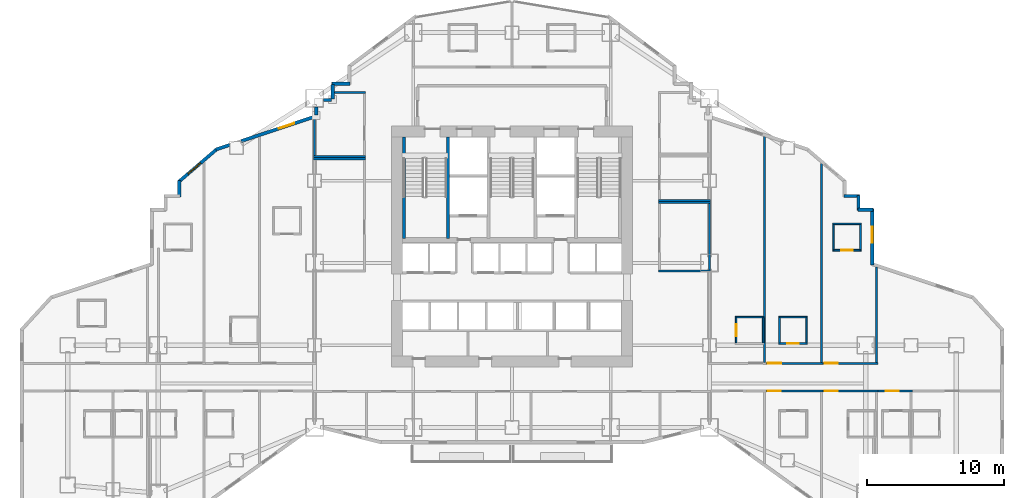
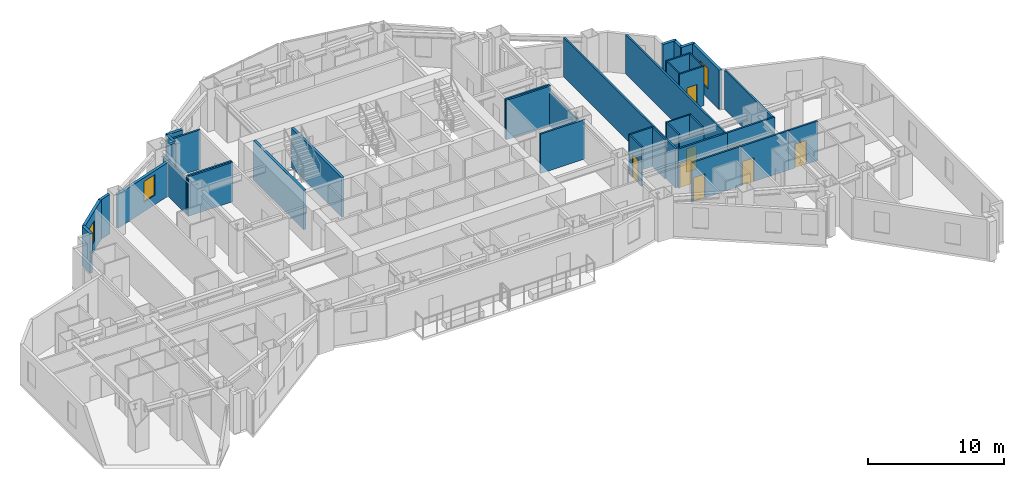
# One storey, part 11 of 19: 41 walls, 8 doors, 3 windows, 11 openings.
"""IFC4 building model written with IfcOpenShell, lengths in metres."""

import ifcopenshell
import ifcopenshell.guid

model = None  # the IFC model being written
_history = None  # IfcOwnerHistory: only IFC2X3 demands one
_inside = {}  # id of a spatial element -> (the spatial element, [elements in it])
_under = {}  # id of a project, library or spatial element -> (it, [spatial elements below it])
_declared = {}  # id of a project -> (the project, [libraries it declares])
_typed = {}  # id of a type object -> (the type object, [elements of that type])
_made_of = {}  # id of a material, layer set ... -> (it, [elements and type objects made of it])


def new_model(schema):
    """Start an empty IFC model of exactly this schema.

    Asked for "IFC4X3", IfcOpenShell would pick the latest addendum, in which some entities
    have other attributes; the version numbers below select the first issue.
    IFC2X3 requires an IfcOwnerHistory on every rooted entity: one is made here for all.
    """
    global model, _history
    if schema == "IFC4X3":
        model = ifcopenshell.file(schema_version=(4, 3, 0, 0))
    else:
        model = ifcopenshell.file(schema=schema)
    _inside.clear()
    _under.clear()
    _declared.clear()
    _typed.clear()
    _made_of.clear()
    _history = None
    if model.schema == "IFC2X3":
        org = make("IfcOrganization", Name="unknown")
        user = make(
            "IfcPersonAndOrganization",
            ThePerson=make("IfcPerson", FamilyName="unknown"),
            TheOrganization=org,
        )
        app = make(
            "IfcApplication",
            ApplicationDeveloper=org,
            Version="unknown",
            ApplicationFullName="unknown",
            ApplicationIdentifier="unknown",
        )
        _history = make(
            "IfcOwnerHistory",
            OwningUser=user,
            OwningApplication=app,
            ChangeAction="ADDED",
            CreationDate=0,
        )
    return model


def make(cls, **values):
    """One entity of the class cls with the attributes given. An attribute that is None is left unset."""
    return model.create_entity(
        cls, **{name: value for name, value in values.items() if value is not None}
    )


def rooted(cls, **values):
    """An entity with a GlobalId (a new one), such as an element, a storey or a relation."""
    return make(cls, GlobalId=ifcopenshell.guid.new(), OwnerHistory=_history, **values)


def si_unit(unit_type, name, prefix=None):
    """IfcSIUnit, for example si_unit("LENGTHUNIT", "METRE", prefix="MILLI")."""
    return make("IfcSIUnit", UnitType=unit_type, Prefix=prefix, Name=name)


def assignment(units):
    """IfcUnitAssignment: the units of a project."""
    return None if units is None else make("IfcUnitAssignment", Units=units)


def point(xyz):
    """IfcCartesianPoint."""
    return None if xyz is None else make("IfcCartesianPoint", Coordinates=xyz)


def direction(xyz):
    """IfcDirection."""
    return None if xyz is None else make("IfcDirection", DirectionRatios=xyz)


def frame(location, z_axis=None, x_axis=None):
    """IfcAxis2Placement3D, a coordinate frame: its origin and axes. An axis left out is left unset."""
    return make(
        "IfcAxis2Placement3D",
        Location=point(location),
        Axis=direction(z_axis),
        RefDirection=direction(x_axis),
    )


def frame_2d(location, x_axis=None):
    """IfcAxis2Placement2D, a coordinate frame in the plane: its origin and x axis."""
    return make(
        "IfcAxis2Placement2D", Location=point(location), RefDirection=direction(x_axis)
    )


def origin():
    """The frame at (0, 0, 0) with its axes left unset."""
    return frame((0.0, 0.0, 0.0))


def place(relative_to, where):
    """IfcLocalPlacement: puts the frame where relative to a parent placement (None: the world)."""
    return make(
        "IfcLocalPlacement", PlacementRelTo=relative_to, RelativePlacement=where
    )


def context(
    kind, dimensions, precision=None, world=None, true_north=None, identifier=None
):
    """IfcGeometricRepresentationContext, for example the 3D "Model" context."""
    return make(
        "IfcGeometricRepresentationContext",
        ContextIdentifier=identifier,
        ContextType=kind,
        CoordinateSpaceDimension=dimensions,
        Precision=precision,
        WorldCoordinateSystem=world,
        TrueNorth=true_north,
    )


def subcontext(parent, identifier, kind, view, scale=None):
    """IfcGeometricRepresentationSubContext, for example "Body" below "Model"."""
    return make(
        "IfcGeometricRepresentationSubContext",
        ContextIdentifier=identifier,
        ContextType=kind,
        ParentContext=parent,
        TargetScale=scale,
        TargetView=view,
    )


def project(units=None, contexts=None):
    """IfcProject with its units and contexts."""
    return rooted(
        "IfcProject",
        Name="project",
        RepresentationContexts=contexts,
        UnitsInContext=assignment(units),
    )


def spatial(cls, under=None, at=None, **own):
    """A site, building, storey or space (cls), placed at a placement, below another one or the project."""
    s = rooted(cls, ObjectPlacement=at, **own)
    if under is not None:
        _under.setdefault(under.id(), (under, []))[1].append(s)
    return s


def profile(cls, at=None, kind="AREA", **sizes):
    """A parametric profile (cls). Its sizes go by their IFC names, for example OverallWidth=200.0."""
    return make(cls, ProfileType=kind, Position=at, **sizes)


def rectangle(**sizes):
    """IfcRectangleProfileDef."""
    return profile("IfcRectangleProfileDef", **sizes)


def extrude(swept, where, along, depth):
    """IfcExtrudedAreaSolid: the profile swept, set in the frame where, extruded along a direction by depth."""
    return make(
        "IfcExtrudedAreaSolid",
        SweptArea=swept,
        Position=where,
        ExtrudedDirection=direction(along),
        Depth=depth,
    )


def shape(context_of_items, identifier, shape_type, items):
    """IfcShapeRepresentation: the items that make up one representation, for example the "Body"."""
    return make(
        "IfcShapeRepresentation",
        ContextOfItems=context_of_items,
        RepresentationIdentifier=identifier,
        RepresentationType=shape_type,
        Items=items,
    )


def material(Name=None, Category=None):
    """IfcMaterial."""
    return make("IfcMaterial", Name=Name, Category=Category)


def layer(
    of_material, thickness, ventilated=None, Name=None, Category=None, Priority=None
):
    """IfcMaterialLayer: one layer of a wall or slab, of a material (None: an air gap)."""
    return make(
        "IfcMaterialLayer",
        Material=of_material,
        LayerThickness=thickness,
        IsVentilated=ventilated,
        Name=Name,
        Category=Category,
        Priority=Priority,
    )


def layer_set(layers, Name=None):
    """IfcMaterialLayerSet."""
    return make("IfcMaterialLayerSet", MaterialLayers=layers, LayerSetName=Name)


def made_of(thing, what):
    """Note that an element or type object is made of a material, layer set ...; save() writes the relation."""
    if what is not None:
        _made_of.setdefault(what.id(), (what, []))[1].append(thing)
    return thing


def type_object(cls, material=None, **own):
    """A type object (cls), such as IfcWallType, which elements share."""
    return made_of(rooted(cls, **own), material)


def element(
    cls,
    number,
    at=None,
    inside=None,
    cuts=None,
    type_object=None,
    material=None,
    context=None,
    identifier="Body",
    shape_type=None,
    held_by="IfcProductDefinitionShape",
    body=None,
    shapes=None,
    **own,
):
    """One element of the class cls, such as IfcWall. Its Tag is "e" and its number.

    at: its placement. inside: the storey or other place that contains it. cuts: it is an
    opening in that element (IfcRelVoidsElement). A single representation is given by context,
    identifier, shape_type and body (its items); several are given by shapes. held_by: the class
    of the entity that holds the representations. save() writes the other relations.
    """
    e = rooted(cls, Tag="e%d" % number, ObjectPlacement=at, **own)
    if body is not None:
        shapes = [shape(context, identifier, shape_type, body)]
    if shapes is not None:
        e.Representation = make(held_by, Representations=shapes)
    if inside is not None:
        _inside.setdefault(inside.id(), (inside, []))[1].append(e)
    if cuts is not None:
        rooted(
            "IfcRelVoidsElement", RelatingBuildingElement=cuts, RelatedOpeningElement=e
        )
    if type_object is not None:
        _typed.setdefault(type_object.id(), (type_object, []))[1].append(e)
    return made_of(e, material)


def fill(opening, filler):
    """IfcRelFillsElement: the door or window that sits in an opening."""
    return rooted(
        "IfcRelFillsElement",
        RelatingOpeningElement=opening,
        RelatedBuildingElement=filler,
    )


def aggregate(whole, parts):
    """IfcRelAggregates: a whole, such as a stair, and the parts it consists of."""
    return rooted("IfcRelAggregates", RelatingObject=whole, RelatedObjects=parts)


def save(model, path):
    """Write the relations noted so far, then the file.

    IfcRelAggregates (storeys below a building ...), IfcRelContainedInSpatialStructure (elements
    in a storey), IfcRelDefinesByType, IfcRelAssociatesMaterial and IfcRelDeclares: one each for
    every whole, place, type object, material and project.
    """
    for whole, parts in _under.values():
        aggregate(whole, parts)
    for where, things in _inside.values():
        rooted(
            "IfcRelContainedInSpatialStructure",
            RelatedElements=things,
            RelatingStructure=where,
        )
    for kind, things in _typed.values():
        rooted("IfcRelDefinesByType", RelatedObjects=things, RelatingType=kind)
    for what, things in _made_of.values():
        rooted("IfcRelAssociatesMaterial", RelatedObjects=things, RelatingMaterial=what)
    for by, libraries in _declared.values():
        rooted("IfcRelDeclares", RelatingContext=by, RelatedDefinitions=libraries)
    model.write(path)


model = new_model("IFC4")

# Units and contexts
model_context = context("Model", 3, precision=1e-05, world=origin(), true_north=direction((0.0, 1.0)))
body_context = subcontext(model_context, "Body", "Model", "MODEL_VIEW")
ifc_project = project(units=[si_unit("LENGTHUNIT", "METRE"), si_unit("AREAUNIT", "SQUARE_METRE"), si_unit("VOLUMEUNIT", "CUBIC_METRE"), si_unit("PLANEANGLEUNIT", "RADIAN"), si_unit("MASSUNIT", "GRAM", prefix="KILO")], contexts=[model_context])

# Site, building, storey
site_placement = place(None, origin())
site = spatial("IfcSite", under=ifc_project, at=site_placement, CompositionType="ELEMENT")
building_placement = place(site_placement, origin())
building = spatial("IfcBuilding", under=site, at=building_placement, Name="Haolan Belvedere Tower", CompositionType="ELEMENT")
storey_placement = place(building_placement, frame((0.0, 0.0, 39.199951171875)))
storey = spatial("IfcBuildingStorey", under=building, at=storey_placement, Name="L09", CompositionType="ELEMENT", Elevation=39.199951171875)

# Wall, opening, window
ifc_material_1 = material(Name="Precast concrete C40/50", Category="concrete")
ifc_layer_1 = layer(ifc_material_1, 0.239990234375, Name="Precast concrete C40/50")
ifc_layer_set_1 = layer_set([ifc_layer_1], Name="Precast concrete C40/50")
wall_type_1 = type_object("IfcWallType", Name="WL-EXT-240", PredefinedType="SOLIDWALL", material=ifc_layer_set_1)
wall_1_placement = place(storey_placement, frame((64.679931640625, 33.458251953125, 0.0), z_axis=(0.0, 0.0, 1.0), x_axis=(0.0, 1.0, 0.0)))
wall_1 = element("IfcWall", 1, at=wall_1_placement, inside=storey, type_object=wall_type_1, Name="L09 pale-metal exterior spandrel wall 29.1", PredefinedType="SOLIDWALL", context=body_context, shape_type="SweptSolid", body=[
    extrude(rectangle(XDim=4.07666015625, YDim=0.239990234375, at=frame_2d((2.038330078125, 0.0))), origin(), (0.0, 0.0, 1.0), 3.5400390625),
])
opening_1_placement = place(wall_1_placement, frame((1.60009765625, 0.0, 0.85009765625)))
opening_1 = element("IfcOpeningElement", 2, at=opening_1_placement, cuts=wall_1, Name="Opening W-01", PredefinedType="OPENING", context=body_context, shape_type="SweptSolid", body=[
    extrude(rectangle(XDim=1.199951171875, YDim=1.85009765625, at=frame_2d((0.60009765625, 0.925048828125))), frame((0.0, 0.1298828125, 0.0), z_axis=(0.0, -1.0, 0.0), x_axis=(1.0, 0.0, 0.0)), (0.0, 0.0, 1.0), 0.260009765625),
])
ifc_material_2 = material(Name="Anodised aluminium 6063-T6 and Low-E glass", Category="aluminium")
window_type = type_object("IfcWindowType", Name="WN-DECO-Z1", PartitioningType="SINGLE_PANEL", PredefinedType="WINDOW", material=ifc_material_2)
window_1_placement = place(opening_1_placement, origin())
window_1 = element("IfcWindow", 3, at=window_1_placement, inside=storey, type_object=window_type, Name="L09 Art Deco chevron window 1", OverallHeight=1.85009765625, OverallWidth=1.199951171875, PartitioningType="SINGLE_PANEL", PredefinedType="WINDOW", context=body_context, shape_type="SweptSolid", body=[
    extrude(rectangle(XDim=1.199951171875, YDim=1.85009765625, at=frame_2d((0.60009765625, 0.925048828125))), frame((0.0, 0.030029296875, 0.0), z_axis=(0.0, -1.0, 0.0), x_axis=(1.0, 0.0, 0.0)), (0.0, 0.0, 1.0), 0.06005859375),
])
fill(opening_1, window_1)

# Walls
wall_2_placement = place(storey_placement, frame((64.735107421875, 37.47998046875, 0.0), z_axis=(0.0, 0.0, 1.0), x_axis=(-1.0, 0.0, 0.0)))
element("IfcWall", 4, at=wall_2_placement, inside=storey, type_object=wall_type_1, Name="L09 pale-metal exterior spandrel wall 30.1", PredefinedType="SOLIDWALL", context=body_context, shape_type="SweptSolid", body=[
    extrude(rectangle(XDim=1.110107421875, YDim=0.239990234375, at=frame_2d((0.55517578125, 0.0))), origin(), (0.0, 0.0, 1.0), 3.5400390625),
])
wall_3_placement = place(storey_placement, frame((63.679931640625, 37.425048828125, 0.0), z_axis=(0.0, 0.0, 1.0), x_axis=(0.0, 1.0, 0.0)))
element("IfcWall", 5, at=wall_3_placement, inside=storey, type_object=wall_type_1, Name="L09 pale-metal exterior spandrel wall 31.1", PredefinedType="SOLIDWALL", context=body_context, shape_type="SweptSolid", body=[
    extrude(rectangle(XDim=1.10986328125, YDim=0.239990234375, at=frame_2d((0.554931640625, 0.0))), origin(), (0.0, 0.0, 1.0), 3.5400390625),
])
wall_4_placement = place(storey_placement, frame((63.735107421875, 38.47998046875, 0.0), z_axis=(0.0, 0.0, 1.0), x_axis=(-1.0, 0.0, 0.0)))
element("IfcWall", 6, at=wall_4_placement, inside=storey, type_object=wall_type_1, Name="L09 pale-metal exterior spandrel wall 32.1", PredefinedType="SOLIDWALL", context=body_context, shape_type="SweptSolid", body=[
    extrude(rectangle(XDim=1.110107421875, YDim=0.239990234375, at=frame_2d((0.55517578125, 0.0))), origin(), (0.0, 0.0, 1.0), 3.5400390625),
])
wall_5_placement = place(storey_placement, frame((26.574951171875, 46.679931640625, 0.0), z_axis=(0.0, 0.0, 1.0), x_axis=(-1.0, 0.0, 0.0)))
element("IfcWall", 7, at=wall_5_placement, inside=storey, type_object=wall_type_1, Name="L09 pale-metal exterior spandrel wall 46.1", PredefinedType="SOLIDWALL", context=body_context, shape_type="SweptSolid", body=[
    extrude(rectangle(XDim=1.31005859375, YDim=0.239990234375, at=frame_2d((0.655029296875, 0.0))), origin(), (0.0, 0.0, 1.0), 3.5400390625),
])
wall_6_placement = place(storey_placement, frame((25.320068359375, 46.614990234375, 0.0), z_axis=(0.0, 0.0, 1.0), x_axis=(0.0, -1.0, 0.0)))
element("IfcWall", 8, at=wall_6_placement, inside=storey, type_object=wall_type_1, Name="L09 pale-metal exterior spandrel wall 47.1", PredefinedType="SOLIDWALL", context=body_context, shape_type="SweptSolid", body=[
    extrude(rectangle(XDim=1.050048828125, YDim=0.239990234375, at=frame_2d((0.52490234375, 0.0))), origin(), (0.0, 0.0, 1.0), 3.5400390625),
])
wall_7_placement = place(storey_placement, frame((25.235107421875, 45.47998046875, 0.0), z_axis=(0.0, 0.0, 1.0), x_axis=(-1.0, 0.0, 0.0)))
element("IfcWall", 9, at=wall_7_placement, inside=storey, type_object=wall_type_1, Name="L09 pale-metal exterior spandrel wall 48.1", PredefinedType="SOLIDWALL", context=body_context, shape_type="SweptSolid", body=[
    extrude(rectangle(XDim=0.593017578125, YDim=0.239990234375, at=frame_2d((0.29638671875, 0.0))), origin(), (0.0, 0.0, 1.0), 3.5400390625),
])
wall_8_placement = place(storey_placement, frame((24.1201171875, 44.9580078125, 0.0), z_axis=(0.0, 0.0, 1.0), x_axis=(0.0, -1.0, 0.0)))
element("IfcWall", 10, at=wall_8_placement, inside=storey, type_object=wall_type_1, Name="L09 pale-metal exterior spandrel wall 49.1", PredefinedType="SOLIDWALL", context=body_context, shape_type="SweptSolid", body=[
    extrude(rectangle(XDim=0.5595703125, YDim=0.239990234375, at=frame_2d((0.27978515625, 0.0))), origin(), (0.0, 0.0, 1.0), 3.037109375),
])

# Wall, opening, window
wall_9_placement = place(storey_placement, frame((24.039306640625, 44.28662109375, 0.0), z_axis=(0.0, 0.0, 1.0), x_axis=(-0.948678995954, -0.316240672014, 0.0)))
wall_9 = element("IfcWall", 11, at=wall_9_placement, inside=storey, type_object=wall_type_1, Name="L09 pale-metal exterior spandrel wall 50.1", PredefinedType="SOLIDWALL", context=body_context, shape_type="SweptSolid", body=[
    extrude(rectangle(XDim=5.675048828125, YDim=0.239990234375, at=frame_2d((2.83740234375, 0.0))), origin(), (0.0, 0.0, 1.0), 3.037109375),
])
opening_2_placement = place(wall_9_placement, frame((1.60009765625, 0.0, 0.85009765625)))
opening_2 = element("IfcOpeningElement", 12, at=opening_2_placement, cuts=wall_9, Name="Opening W-01", PredefinedType="OPENING", context=body_context, shape_type="SweptSolid", body=[
    extrude(rectangle(XDim=1.199951171875, YDim=1.85009765625, at=frame_2d((0.60009765625, 0.925048828125))), frame((0.0, 0.1298828125, 0.0), z_axis=(0.0, -1.0, 0.0), x_axis=(1.0, 0.0, 0.0)), (0.0, 0.0, 1.0), 0.260009765625),
])
window_2_placement = place(opening_2_placement, origin())
window_2 = element("IfcWindow", 13, at=window_2_placement, inside=storey, type_object=window_type, Name="L09 Art Deco chevron window 1", OverallHeight=1.85009765625, OverallWidth=1.199951171875, PartitioningType="SINGLE_PANEL", PredefinedType="WINDOW", context=body_context, shape_type="SweptSolid", body=[
    extrude(rectangle(XDim=1.199951171875, YDim=1.85009765625, at=frame_2d((0.60009765625, 0.925048828125))), frame((0.0, 0.030029296875, 0.0), z_axis=(0.0, -1.0, 0.0), x_axis=(1.0, 0.0, 0.0)), (0.0, 0.0, 1.0), 0.06005859375),
])
fill(opening_2, window_2)

# Wall
wall_10_placement = place(storey_placement, frame((17.80810546875, 42.20947265625, 0.0), z_axis=(0.0, 0.0, 1.0), x_axis=(-0.948706457285, -0.316158279832, 0.0)))
element("IfcWall", 14, at=wall_10_placement, inside=storey, type_object=wall_type_1, Name="L09 pale-metal exterior spandrel wall 50.2", PredefinedType="SOLIDWALL", context=body_context, shape_type="SweptSolid", body=[
    extrude(rectangle(XDim=1.053955078125, YDim=0.239990234375, at=frame_2d((0.52685546875, 0.0))), origin(), (0.0, 0.0, 1.0), 3.5400390625),
])

# Wall, opening, window
wall_11_placement = place(storey_placement, frame((16.902099609375, 41.929443359375, 0.0), z_axis=(0.0, 0.0, 1.0), x_axis=(-0.759275136126, -0.650769750112, 0.0)))
wall_11 = element("IfcWall", 15, at=wall_11_placement, inside=storey, type_object=wall_type_1, Name="L09 pale-metal exterior spandrel wall 51.1", PredefinedType="SOLIDWALL", context=body_context, shape_type="SweptSolid", body=[
    extrude(rectangle(XDim=3.71923828125, YDim=0.239990234375, at=frame_2d((1.859619140625, 0.0))), origin(), (0.0, 0.0, 1.0), 3.5400390625),
])
opening_3_placement = place(wall_11_placement, frame((1.60009765625, 0.0, 0.85009765625)))
opening_3 = element("IfcOpeningElement", 16, at=opening_3_placement, cuts=wall_11, Name="Opening W-01", PredefinedType="OPENING", context=body_context, shape_type="SweptSolid", body=[
    extrude(rectangle(XDim=1.199951171875, YDim=1.85009765625, at=frame_2d((0.60009765625, 0.925048828125))), frame((0.0, 0.1298828125, 0.0), z_axis=(0.0, -1.0, 0.0), x_axis=(1.0, 0.0, 0.0)), (0.0, 0.0, 1.0), 0.260009765625),
])
window_3_placement = place(opening_3_placement, origin())
window_3 = element("IfcWindow", 17, at=window_3_placement, inside=storey, type_object=window_type, Name="L09 Art Deco chevron window 1", OverallHeight=1.85009765625, OverallWidth=1.199951171875, PartitioningType="SINGLE_PANEL", PredefinedType="WINDOW", context=body_context, shape_type="SweptSolid", body=[
    extrude(rectangle(XDim=1.199951171875, YDim=1.85009765625, at=frame_2d((0.60009765625, 0.925048828125))), frame((0.0, 0.030029296875, 0.0), z_axis=(0.0, -1.0, 0.0), x_axis=(1.0, 0.0, 0.0)), (0.0, 0.0, 1.0), 0.06005859375),
])
fill(opening_3, window_3)

# Walls
wall_12_placement = place(storey_placement, frame((14.1201171875, 39.599853515625, 0.0), z_axis=(0.0, 0.0, 1.0), x_axis=(0.0, -1.0, 0.0)))
element("IfcWall", 18, at=wall_12_placement, inside=storey, type_object=wall_type_1, Name="L09 pale-metal exterior spandrel wall 52.1", PredefinedType="SOLIDWALL", context=body_context, shape_type="SweptSolid", body=[
    extrude(rectangle(XDim=1.1748046875, YDim=0.239990234375, at=frame_2d((0.58740234375, 0.0))), origin(), (0.0, 0.0, 1.0), 3.5400390625),
])
ifc_material_3 = material(Name="Double gypsum acoustic stud partition", Category="masonry")
ifc_layer_2 = layer(ifc_material_3, 0.14990234375, Name="Double gypsum acoustic stud partition")
ifc_layer_set_2 = layer_set([ifc_layer_2], Name="Double gypsum acoustic stud partition")
wall_type_2 = type_object("IfcWallType", Name="WL-PART-150", PredefinedType="PARTITIONING", material=ifc_layer_set_2)
wall_13_placement = place(storey_placement, frame((23.919921875, 41.199951171875, 0.0), z_axis=(0.0, 0.0, 1.0), x_axis=(1.0, 0.0, 0.0)))
element("IfcWall", 19, at=wall_13_placement, inside=storey, type_object=wall_type_2, Name="L09 interior partition IW-L09-SAL-N", PredefinedType="PARTITIONING", context=body_context, shape_type="SweptSolid", body=[
    extrude(rectangle(XDim=3.800048828125, YDim=0.14990234375, at=frame_2d((1.89990234375, 0.0))), origin(), (0.0, 0.0, 1.0), 3.5400390625),
])
wall_14_placement = place(storey_placement, frame((25.425048828125, 46.02001953125, 0.0), z_axis=(0.0, 0.0, 1.0), x_axis=(1.0, 0.0, 0.0)))
element("IfcWall", 20, at=wall_14_placement, inside=storey, type_object=wall_type_2, Name="L09 interior partition IW-L09-HSK-N", PredefinedType="PARTITIONING", context=body_context, shape_type="SweptSolid", body=[
    extrude(rectangle(XDim=2.294921875, YDim=0.14990234375, at=frame_2d((1.1474609375, 0.0))), origin(), (0.0, 0.0, 1.0), 3.5400390625),
])
wall_15_placement = place(storey_placement, frame((23.919921875, 41.360107421875, 0.0), z_axis=(0.0, 0.0, 1.0), x_axis=(1.0, 0.0, 0.0)))
element("IfcWall", 21, at=wall_15_placement, inside=storey, type_object=wall_type_2, Name="L09 interior partition IW-L09-HSK-S", PredefinedType="PARTITIONING", context=body_context, shape_type="SweptSolid", body=[
    extrude(rectangle(XDim=3.800048828125, YDim=0.14990234375, at=frame_2d((1.89990234375, 0.0))), origin(), (0.0, 0.0, 1.0), 3.5400390625),
])
wall_16_placement = place(storey_placement, frame((24.0, 41.419921875, 0.0), z_axis=(0.0, 0.0, 1.0), x_axis=(0.0, 1.0, 0.0)))
element("IfcWall", 22, at=wall_16_placement, inside=storey, type_object=wall_type_2, Name="L09 interior partition IW-L09-HSK-W", PredefinedType="PARTITIONING", context=body_context, shape_type="SweptSolid", body=[
    extrude(rectangle(XDim=2.742919921875, YDim=0.14990234375, at=frame_2d((1.37158203125, 0.0))), origin(), (0.0, 0.0, 1.0), 3.037109375),
])
for number, where, z_axis, x_axis, name in (
    (23, (49.080078125, 38.0, 0.0), (0.0, 0.0, 1.0), (1.0, 0.0, 0.0), "L09 interior partition IW-L09-BPN-N"),
    (24, (49.080078125, 33.0, 0.0), (0.0, 0.0, 1.0), (1.0, 0.0, 0.0), "L09 interior partition IW-L09-BPN-S"),
):
    element("IfcWall", number, at=place(storey_placement, frame(where, z_axis=z_axis, x_axis=x_axis)), inside=storey, type_object=wall_type_2, Name=name, PredefinedType="PARTITIONING", context=body_context, shape_type="SweptSolid", body=[
        extrude(rectangle(XDim=3.7998046875, YDim=0.14990234375, at=frame_2d((1.89990234375, 0.0))), origin(), (0.0, 0.0, 1.0), 3.5400390625),
    ])
wall_17_placement = place(storey_placement, frame((52.800048828125, 33.06005859375, 0.0), z_axis=(0.0, 0.0, 1.0), x_axis=(0.0, 1.0, 0.0)))
element("IfcWall", 25, at=wall_17_placement, inside=storey, type_object=wall_type_2, Name="L09 interior partition IW-L09-BPN-E", PredefinedType="PARTITIONING", context=body_context, shape_type="SweptSolid", body=[
    extrude(rectangle(XDim=4.8798828125, YDim=0.14990234375, at=frame_2d((2.43994140625, 0.0))), origin(), (0.0, 0.0, 1.0), 3.037109375),
])
wall_18_placement = place(storey_placement, frame((49.080078125, 38.159912109375, 0.0), z_axis=(0.0, 0.0, 1.0), x_axis=(1.0, 0.0, 0.0)))
element("IfcWall", 26, at=wall_18_placement, inside=storey, type_object=wall_type_2, Name="L09 interior partition IW-L09-AWC-S", PredefinedType="PARTITIONING", context=body_context, shape_type="SweptSolid", body=[
    extrude(rectangle(XDim=3.7998046875, YDim=0.14990234375, at=frame_2d((1.89990234375, 0.0))), origin(), (0.0, 0.0, 1.0), 3.5400390625),
])
wall_19_placement = place(storey_placement, frame((56.830078125, 26.340087890625, 0.0), z_axis=(0.0, 0.0, 1.0), x_axis=(0.0, 1.0, 0.0)))
element("IfcWall", 27, at=wall_19_placement, inside=storey, type_object=wall_type_2, Name="L09 interior partition IW-L09-T4N1-E", PredefinedType="PARTITIONING", context=body_context, shape_type="SweptSolid", body=[
    extrude(rectangle(XDim=16.4794921875, YDim=0.14990234375, at=frame_2d((8.23974609375, 0.0))), origin(), (0.0, 0.0, 1.0), 3.5400390625),
])

# Wall, opening, door
wall_20_placement = place(storey_placement, frame((56.931884765625, 26.280029296875, 0.0), z_axis=(0.0, 0.0, 1.0), x_axis=(1.0, 0.0, 0.0)))
wall_20 = element("IfcWall", 28, at=wall_20_placement, inside=storey, type_object=wall_type_2, Name="L09 interior partition IW-L09-T4N2-S", PredefinedType="PARTITIONING", context=body_context, shape_type="SweptSolid", body=[
    extrude(rectangle(XDim=4.13818359375, YDim=0.14990234375, at=frame_2d((2.069091796875, 0.0))), origin(), (0.0, 0.0, 1.0), 3.5400390625),
])
opening_4_placement = place(wall_20_placement, frame((0.139892578125, 0.0, 0.0)))
opening_4 = element("IfcOpeningElement", 29, at=opening_4_placement, cuts=wall_20, Name="Opening ID-01", PredefinedType="OPENING", context=body_context, shape_type="SweptSolid", body=[
    extrude(rectangle(XDim=0.949951171875, YDim=2.179931640625, at=frame_2d((0.47509765625, 1.08984375))), frame((0.0, 0.0849609375, 0.0), z_axis=(0.0, -1.0, 0.0), x_axis=(1.0, 0.0, 0.0)), (0.0, 0.0, 1.0), 0.169921875),
])
ifc_material_4 = material(Name="Acoustic walnut veneer fire-rated timber", Category="wood")
door_type_1 = type_object("IfcDoorType", Name="DR-SUITE-950", OperationType="NOTDEFINED", PredefinedType="DOOR", material=ifc_material_4)
door_1_placement = place(opening_4_placement, origin())
door_1 = element("IfcDoor", 30, at=door_1_placement, inside=storey, type_object=door_type_1, Name="L09 door ID-L09-T4N2-ENT", OperationType="SINGLE_SWING_LEFT", OverallHeight=2.179931640625, OverallWidth=0.949951171875, PredefinedType="DOOR", context=body_context, shape_type="SweptSolid", body=[
    extrude(rectangle(XDim=0.949951171875, YDim=2.179931640625, at=frame_2d((0.47509765625, 1.08984375))), frame((0.0, 0.02490234375, 0.0), z_axis=(0.0, -1.0, 0.0), x_axis=(1.0, 0.0, 0.0)), (0.0, 0.0, 1.0), 0.050048828125),
])
fill(opening_4, door_1)

# Wall
wall_21_placement = place(storey_placement, frame((60.969970703125, 26.340087890625, 0.0), z_axis=(0.0, 0.0, 1.0), x_axis=(0.0, 1.0, 0.0)))
element("IfcWall", 31, at=wall_21_placement, inside=storey, type_object=wall_type_2, Name="L09 interior partition IW-L09-T4N2-E", PredefinedType="PARTITIONING", context=body_context, shape_type="SweptSolid", body=[
    extrude(rectangle(XDim=14.5322265625, YDim=0.14990234375, at=frame_2d((7.26611328125, 0.0))), origin(), (0.0, 0.0, 1.0), 3.5400390625),
])

# Wall, opening, door
wall_22_placement = place(storey_placement, frame((61.072021484375, 26.280029296875, 0.0), z_axis=(0.0, 0.0, 1.0), x_axis=(1.0, 0.0, 0.0)))
wall_22 = element("IfcWall", 32, at=wall_22_placement, inside=storey, type_object=wall_type_2, Name="L09 interior partition IW-L09-T4N3-S", PredefinedType="PARTITIONING", context=body_context, shape_type="SweptSolid", body=[
    extrude(rectangle(XDim=4.028076171875, YDim=0.14990234375, at=frame_2d((2.01416015625, 0.0))), origin(), (0.0, 0.0, 1.0), 3.5400390625),
])
opening_5_placement = place(wall_22_placement, frame((0.139892578125, 0.0, 0.0)))
opening_5 = element("IfcOpeningElement", 33, at=opening_5_placement, cuts=wall_22, Name="Opening ID-02", PredefinedType="OPENING", context=body_context, shape_type="SweptSolid", body=[
    extrude(rectangle(XDim=0.949951171875, YDim=2.14990234375, at=frame_2d((0.47509765625, 1.074951171875))), frame((0.0, 0.0849609375, 0.0), z_axis=(0.0, -1.0, 0.0), x_axis=(1.0, 0.0, 0.0)), (0.0, 0.0, 1.0), 0.169921875),
])
ifc_material_5 = material(Name="Acoustic oak veneer fire-rated timber", Category="wood")
door_type_2 = type_object("IfcDoorType", Name="DR-GUEST-950", OperationType="NOTDEFINED", PredefinedType="DOOR", material=ifc_material_5)
door_2_placement = place(opening_5_placement, origin())
door_2 = element("IfcDoor", 34, at=door_2_placement, inside=storey, type_object=door_type_2, Name="L09 door ID-L09-T4N3-ENT", OperationType="SINGLE_SWING_RIGHT", OverallHeight=2.14990234375, OverallWidth=0.949951171875, PredefinedType="DOOR", context=body_context, shape_type="SweptSolid", body=[
    extrude(rectangle(XDim=0.949951171875, YDim=2.14990234375, at=frame_2d((0.47509765625, 1.074951171875))), frame((0.0, 0.02490234375, 0.0), z_axis=(0.0, -1.0, 0.0), x_axis=(1.0, 0.0, 0.0)), (0.0, 0.0, 1.0), 0.050048828125),
])
fill(opening_5, door_2)

# Wall
wall_23_placement = place(storey_placement, frame((65.0, 26.340087890625, 0.0), z_axis=(0.0, 0.0, 1.0), x_axis=(0.0, 1.0, 0.0)))
element("IfcWall", 35, at=wall_23_placement, inside=storey, type_object=wall_type_2, Name="L09 interior partition IW-L09-T4N3-E", PredefinedType="PARTITIONING", context=body_context, shape_type="SweptSolid", body=[
    extrude(rectangle(XDim=6.95703125, YDim=0.14990234375, at=frame_2d((3.478515625, 0.0))), origin(), (0.0, 0.0, 1.0), 3.5400390625),
])

# Wall, opening, door
wall_24_placement = place(storey_placement, frame((56.912109375, 24.27001953125, 0.0), z_axis=(0.0, 0.0, 1.0), x_axis=(1.0, 0.0, 0.0)))
wall_24 = element("IfcWall", 36, at=wall_24_placement, inside=storey, type_object=wall_type_2, Name="L09 interior partition IW-L09-T4S2-N", PredefinedType="PARTITIONING", context=body_context, shape_type="SweptSolid", body=[
    extrude(rectangle(XDim=4.157958984375, YDim=0.14990234375, at=frame_2d((2.0791015625, 0.0))), origin(), (0.0, 0.0, 1.0), 3.5400390625),
])
opening_6_placement = place(wall_24_placement, frame((1.08984375, 0.0, 0.0), z_axis=(0.0, 0.0, 1.0), x_axis=(-1.0, 0.0, 0.0)))
opening_6 = element("IfcOpeningElement", 37, at=opening_6_placement, cuts=wall_24, Name="Opening ID-02", PredefinedType="OPENING", context=body_context, shape_type="SweptSolid", body=[
    extrude(rectangle(XDim=0.949951171875, YDim=2.14990234375, at=frame_2d((0.47509765625, 1.074951171875))), frame((0.0, 0.0849609375, 0.0), z_axis=(0.0, -1.0, 0.0), x_axis=(1.0, 0.0, 0.0)), (0.0, 0.0, 1.0), 0.169921875),
])
door_3_placement = place(opening_6_placement, origin())
door_3 = element("IfcDoor", 38, at=door_3_placement, inside=storey, type_object=door_type_2, Name="L09 door ID-L09-T4S2-ENT", OperationType="SINGLE_SWING_RIGHT", OverallHeight=2.14990234375, OverallWidth=0.949951171875, PredefinedType="DOOR", context=body_context, shape_type="SweptSolid", body=[
    extrude(rectangle(XDim=0.949951171875, YDim=2.14990234375, at=frame_2d((0.47509765625, 1.074951171875))), frame((0.0, 0.02490234375, 0.0), z_axis=(0.0, -1.0, 0.0), x_axis=(1.0, 0.0, 0.0)), (0.0, 0.0, 1.0), 0.050048828125),
])
fill(opening_6, door_3)

wall_25_placement = place(storey_placement, frame((61.072021484375, 24.27001953125, 0.0), z_axis=(0.0, 0.0, 1.0), x_axis=(1.0, 0.0, 0.0)))
wall_25 = element("IfcWall", 39, at=wall_25_placement, inside=storey, type_object=wall_type_2, Name="L09 interior partition IW-L09-T4S3-N", PredefinedType="PARTITIONING", context=body_context, shape_type="SweptSolid", body=[
    extrude(rectangle(XDim=4.028076171875, YDim=0.14990234375, at=frame_2d((2.01416015625, 0.0))), origin(), (0.0, 0.0, 1.0), 3.5400390625),
])
opening_7_placement = place(wall_25_placement, frame((1.08984375, 0.0, 0.0), z_axis=(0.0, 0.0, 1.0), x_axis=(-1.0, 0.0, 0.0)))
opening_7 = element("IfcOpeningElement", 40, at=opening_7_placement, cuts=wall_25, Name="Opening ID-02", PredefinedType="OPENING", context=body_context, shape_type="SweptSolid", body=[
    extrude(rectangle(XDim=0.949951171875, YDim=2.14990234375, at=frame_2d((0.47509765625, 1.074951171875))), frame((0.0, 0.0849609375, 0.0), z_axis=(0.0, -1.0, 0.0), x_axis=(1.0, 0.0, 0.0)), (0.0, 0.0, 1.0), 0.169921875),
])
door_4_placement = place(opening_7_placement, origin())
door_4 = element("IfcDoor", 41, at=door_4_placement, inside=storey, type_object=door_type_2, Name="L09 door ID-L09-T4S3-ENT", OperationType="SINGLE_SWING_LEFT", OverallHeight=2.14990234375, OverallWidth=0.949951171875, PredefinedType="DOOR", context=body_context, shape_type="SweptSolid", body=[
    extrude(rectangle(XDim=0.949951171875, YDim=2.14990234375, at=frame_2d((0.47509765625, 1.074951171875))), frame((0.0, 0.02490234375, 0.0), z_axis=(0.0, -1.0, 0.0), x_axis=(1.0, 0.0, 0.0)), (0.0, 0.0, 1.0), 0.050048828125),
])
fill(opening_7, door_4)

wall_26_placement = place(storey_placement, frame((65.10205078125, 24.27001953125, 0.0), z_axis=(0.0, 0.0, 1.0), x_axis=(1.0, 0.0, 0.0)))
wall_26 = element("IfcWall", 42, at=wall_26_placement, inside=storey, type_object=wall_type_2, Name="L09 interior partition IW-L09-T5S1-N", PredefinedType="PARTITIONING", context=body_context, shape_type="SweptSolid", body=[
    extrude(rectangle(XDim=2.498046875, YDim=0.14990234375, at=frame_2d((1.2490234375, 0.0))), origin(), (0.0, 0.0, 1.0), 3.5400390625),
])
opening_8_placement = place(wall_26_placement, frame((1.512939453125, 0.0, 0.0), z_axis=(0.0, 0.0, 1.0), x_axis=(-1.0, 0.0, 0.0)))
opening_8 = element("IfcOpeningElement", 43, at=opening_8_placement, cuts=wall_26, Name="Opening ID-02", PredefinedType="OPENING", context=body_context, shape_type="SweptSolid", body=[
    extrude(rectangle(XDim=0.949951171875, YDim=2.14990234375, at=frame_2d((0.47509765625, 1.074951171875))), frame((0.0, 0.0849609375, 0.0), z_axis=(0.0, -1.0, 0.0), x_axis=(1.0, 0.0, 0.0)), (0.0, 0.0, 1.0), 0.169921875),
])
door_5_placement = place(opening_8_placement, origin())
door_5 = element("IfcDoor", 44, at=door_5_placement, inside=storey, type_object=door_type_2, Name="L09 door ID-L09-T5S1-ENT", OperationType="SINGLE_SWING_LEFT", OverallHeight=2.14990234375, OverallWidth=0.949951171875, PredefinedType="DOOR", context=body_context, shape_type="SweptSolid", body=[
    extrude(rectangle(XDim=0.949951171875, YDim=2.14990234375, at=frame_2d((0.47509765625, 1.074951171875))), frame((0.0, 0.02490234375, 0.0), z_axis=(0.0, -1.0, 0.0), x_axis=(1.0, 0.0, 0.0)), (0.0, 0.0, 1.0), 0.050048828125),
])
fill(opening_8, door_5)

# Walls
ifc_material_6 = material(Name="Concrete C50/60", Category="concrete")
ifc_layer_3 = layer(ifc_material_6, 0.219970703125, Name="Concrete C50/60")
ifc_layer_set_3 = layer_set([ifc_layer_3], Name="Concrete C50/60")
wall_type_3 = type_object("IfcWallType", Name="WL-STAIR-220", PredefinedType="SHEAR", material=ifc_layer_set_3)
for number, where, z_axis, x_axis, name in (
    (45, (30.511962890625, 35.389892578125, 0.0), (0.0, 0.0, 1.0), (0.0, 1.0, 0.0), "L09 structural stair core wall ST1W"),
    (46, (33.739990234375, 35.389892578125, 0.0), (0.0, 0.0, 1.0), (0.0, 1.0, 0.0), "L09 structural stair core wall ST1E"),
):
    element("IfcWall", number, at=place(storey_placement, frame(where, z_axis=z_axis, x_axis=x_axis)), inside=storey, type_object=wall_type_3, Name=name, PredefinedType="SHEAR", context=body_context, shape_type="SweptSolid", body=[
        extrude(rectangle(XDim=7.41015625, YDim=0.219970703125, at=frame_2d((3.705078125, 0.0))), origin(), (0.0, 0.0, 1.0), 3.5400390625),
    ])
ifc_material_7 = material(Name="Moisture-resistant gypsum tile partition", Category="masonry")
ifc_layer_4 = layer(ifc_material_7, 0.1201171875, Name="Moisture-resistant gypsum tile partition")
ifc_layer_set_4 = layer_set([ifc_layer_4], Name="Moisture-resistant gypsum tile partition")
wall_type_4 = type_object("IfcWallType", Name="WL-WET-120", PredefinedType="PARTITIONING", material=ifc_layer_set_4)
wall_27_placement = place(storey_placement, frame((54.68994140625, 29.64990234375, 0.0), z_axis=(0.0, 0.0, 1.0), x_axis=(1.0, 0.0, 0.0)))
element("IfcWall", 47, at=wall_27_placement, inside=storey, type_object=wall_type_4, Name="L09 interior partition IW-L09-T4N1-BN", PredefinedType="PARTITIONING", context=body_context, shape_type="SweptSolid", body=[
    extrude(rectangle(XDim=2.080078125, YDim=0.1201171875, at=frame_2d((1.0400390625, 0.0))), origin(), (0.0, 0.0, 1.0), 3.5400390625),
])

# Wall, opening, door
wall_28_placement = place(storey_placement, frame((54.75, 27.77490234375, 0.0), z_axis=(0.0, 0.0, 1.0), x_axis=(0.0, 1.0, 0.0)))
wall_28 = element("IfcWall", 48, at=wall_28_placement, inside=storey, type_object=wall_type_4, Name="L09 interior partition IW-L09-T4N1-BW", PredefinedType="PARTITIONING", context=body_context, shape_type="SweptSolid", body=[
    extrude(rectangle(XDim=1.830078125, YDim=0.1201171875, at=frame_2d((0.9150390625, 0.0))), origin(), (0.0, 0.0, 1.0), 3.5400390625),
])
opening_9_placement = place(wall_28_placement, frame((1.340087890625, 0.0, 0.0), z_axis=(0.0, 0.0, 1.0), x_axis=(-1.0, 0.0, 0.0)))
opening_9 = element("IfcOpeningElement", 49, at=opening_9_placement, cuts=wall_28, Name="Opening ID-05", PredefinedType="OPENING", context=body_context, shape_type="SweptSolid", body=[
    extrude(rectangle(XDim=0.85009765625, YDim=2.10009765625, at=frame_2d((0.425048828125, 1.050048828125))), frame((0.0, 0.070068359375, 0.0), z_axis=(0.0, -1.0, 0.0), x_axis=(1.0, 0.0, 0.0)), (0.0, 0.0, 1.0), 0.14013671875),
])
ifc_material_8 = material(Name="Moisture-resistant lacquered timber", Category="wood")
door_type_3 = type_object("IfcDoorType", Name="DR-BATH-850", OperationType="NOTDEFINED", PredefinedType="DOOR", material=ifc_material_8)
door_6_placement = place(opening_9_placement, origin())
door_6 = element("IfcDoor", 50, at=door_6_placement, inside=storey, type_object=door_type_3, Name="L09 door ID-L09-T4N1-BATH", OperationType="SINGLE_SWING_LEFT", OverallHeight=2.10009765625, OverallWidth=0.85009765625, PredefinedType="DOOR", context=body_context, shape_type="SweptSolid", body=[
    extrude(rectangle(XDim=0.85009765625, YDim=2.10009765625, at=frame_2d((0.425048828125, 1.050048828125))), frame((0.0, 0.02490234375, 0.0), z_axis=(0.0, -1.0, 0.0), x_axis=(1.0, 0.0, 0.0)), (0.0, 0.0, 1.0), 0.050048828125),
])
fill(opening_9, door_6)

# Walls
wall_29_placement = place(storey_placement, frame((56.72998046875, 27.77490234375, 0.0), z_axis=(0.0, 0.0, 1.0), x_axis=(0.0, 1.0, 0.0)))
element("IfcWall", 51, at=wall_29_placement, inside=storey, type_object=wall_type_4, Name="L09 interior partition IW-L09-T4N1-BE", PredefinedType="PARTITIONING", context=body_context, shape_type="SweptSolid", body=[
    extrude(rectangle(XDim=1.830078125, YDim=0.1201171875, at=frame_2d((0.9150390625, 0.0))), origin(), (0.0, 0.0, 1.0), 3.5400390625),
])
wall_30_placement = place(storey_placement, frame((57.85009765625, 29.64990234375, 0.0), z_axis=(0.0, 0.0, 1.0), x_axis=(1.0, 0.0, 0.0)))
element("IfcWall", 52, at=wall_30_placement, inside=storey, type_object=wall_type_4, Name="L09 interior partition IW-L09-T4N2-BN", PredefinedType="PARTITIONING", context=body_context, shape_type="SweptSolid", body=[
    extrude(rectangle(XDim=2.099853515625, YDim=0.1201171875, at=frame_2d((1.0498046875, 0.0))), origin(), (0.0, 0.0, 1.0), 3.5400390625),
])

# Wall, opening, door
wall_31_placement = place(storey_placement, frame((57.85009765625, 27.72998046875, 0.0), z_axis=(0.0, 0.0, 1.0), x_axis=(1.0, 0.0, 0.0)))
wall_31 = element("IfcWall", 53, at=wall_31_placement, inside=storey, type_object=wall_type_4, Name="L09 interior partition IW-L09-T4N2-BS", PredefinedType="PARTITIONING", context=body_context, shape_type="SweptSolid", body=[
    extrude(rectangle(XDim=2.099853515625, YDim=0.1201171875, at=frame_2d((1.0498046875, 0.0))), origin(), (0.0, 0.0, 1.0), 3.037109375),
])
opening_10_placement = place(wall_31_placement, frame((0.625, 0.0, 0.0)))
opening_10 = element("IfcOpeningElement", 54, at=opening_10_placement, cuts=wall_31, Name="Opening ID-05", PredefinedType="OPENING", context=body_context, shape_type="SweptSolid", body=[
    extrude(rectangle(XDim=0.85009765625, YDim=2.10009765625, at=frame_2d((0.425048828125, 1.050048828125))), frame((0.0, 0.070068359375, 0.0), z_axis=(0.0, -1.0, 0.0), x_axis=(1.0, 0.0, 0.0)), (0.0, 0.0, 1.0), 0.14013671875),
])
door_7_placement = place(opening_10_placement, origin())
door_7 = element("IfcDoor", 55, at=door_7_placement, inside=storey, type_object=door_type_3, Name="L09 door ID-L09-T4N2-BATH", OperationType="SINGLE_SWING_RIGHT", OverallHeight=2.10009765625, OverallWidth=0.85009765625, PredefinedType="DOOR", context=body_context, shape_type="SweptSolid", body=[
    extrude(rectangle(XDim=0.85009765625, YDim=2.10009765625, at=frame_2d((0.425048828125, 1.050048828125))), frame((0.0, 0.02490234375, 0.0), z_axis=(0.0, -1.0, 0.0), x_axis=(1.0, 0.0, 0.0)), (0.0, 0.0, 1.0), 0.050048828125),
])
fill(opening_10, door_7)

# Walls
for number, where, z_axis, x_axis, name in (
    (56, (57.909912109375, 27.77490234375, 0.0), (0.0, 0.0, 1.0), (0.0, 1.0, 0.0), "L09 interior partition IW-L09-T4N2-BW"),
    (57, (59.889892578125, 27.77490234375, 0.0), (0.0, 0.0, 1.0), (0.0, 1.0, 0.0), "L09 interior partition IW-L09-T4N2-BE"),
):
    element("IfcWall", number, at=place(storey_placement, frame(where, z_axis=z_axis, x_axis=x_axis)), inside=storey, type_object=wall_type_4, Name=name, PredefinedType="PARTITIONING", context=body_context, shape_type="SweptSolid", body=[
        extrude(rectangle(XDim=1.830078125, YDim=0.1201171875, at=frame_2d((0.9150390625, 0.0))), origin(), (0.0, 0.0, 1.0), 3.5400390625),
    ])
wall_32_placement = place(storey_placement, frame((61.777099609375, 36.447998046875, 0.0), z_axis=(0.0, 0.0, 1.0), x_axis=(1.0, 0.0, 0.0)))
element("IfcWall", 58, at=wall_32_placement, inside=storey, type_object=wall_type_4, Name="L09 interior partition IW-L09-T4N3-BN", PredefinedType="PARTITIONING", context=body_context, shape_type="SweptSolid", body=[
    extrude(rectangle(XDim=2.099853515625, YDim=0.1201171875, at=frame_2d((1.0498046875, 0.0))), origin(), (0.0, 0.0, 1.0), 3.5400390625),
])

# Wall, opening, door
wall_33_placement = place(storey_placement, frame((61.777099609375, 34.528076171875, 0.0), z_axis=(0.0, 0.0, 1.0), x_axis=(1.0, 0.0, 0.0)))
wall_33 = element("IfcWall", 59, at=wall_33_placement, inside=storey, type_object=wall_type_4, Name="L09 interior partition IW-L09-T4N3-BS", PredefinedType="PARTITIONING", context=body_context, shape_type="SweptSolid", body=[
    extrude(rectangle(XDim=2.099853515625, YDim=0.1201171875, at=frame_2d((1.0498046875, 0.0))), origin(), (0.0, 0.0, 1.0), 3.5400390625),
])
opening_11_placement = place(wall_33_placement, frame((0.625, 0.0, 0.0)))
opening_11 = element("IfcOpeningElement", 60, at=opening_11_placement, cuts=wall_33, Name="Opening ID-05", PredefinedType="OPENING", context=body_context, shape_type="SweptSolid", body=[
    extrude(rectangle(XDim=0.85009765625, YDim=2.10009765625, at=frame_2d((0.425048828125, 1.050048828125))), frame((0.0, 0.070068359375, 0.0), z_axis=(0.0, -1.0, 0.0), x_axis=(1.0, 0.0, 0.0)), (0.0, 0.0, 1.0), 0.14013671875),
])
door_8_placement = place(opening_11_placement, origin())
door_8 = element("IfcDoor", 61, at=door_8_placement, inside=storey, type_object=door_type_3, Name="L09 door ID-L09-T4N3-BATH", OperationType="SINGLE_SWING_LEFT", OverallHeight=2.10009765625, OverallWidth=0.85009765625, PredefinedType="DOOR", context=body_context, shape_type="SweptSolid", body=[
    extrude(rectangle(XDim=0.85009765625, YDim=2.10009765625, at=frame_2d((0.425048828125, 1.050048828125))), frame((0.0, 0.02490234375, 0.0), z_axis=(0.0, -1.0, 0.0), x_axis=(1.0, 0.0, 0.0)), (0.0, 0.0, 1.0), 0.050048828125),
])
fill(opening_11, door_8)

# Walls
for number, where, z_axis, x_axis, name in (
    (62, (61.8369140625, 34.572998046875, 0.0), (0.0, 0.0, 1.0), (0.0, 1.0, 0.0), "L09 interior partition IW-L09-T4N3-BW"),
    (63, (63.81689453125, 34.572998046875, 0.0), (0.0, 0.0, 1.0), (0.0, 1.0, 0.0), "L09 interior partition IW-L09-T4N3-BE"),
):
    element("IfcWall", number, at=place(storey_placement, frame(where, z_axis=z_axis, x_axis=x_axis)), inside=storey, type_object=wall_type_4, Name=name, PredefinedType="PARTITIONING", context=body_context, shape_type="SweptSolid", body=[
        extrude(rectangle(XDim=1.830078125, YDim=0.1201171875, at=frame_2d((0.9150390625, 0.0))), origin(), (0.0, 0.0, 1.0), 3.5400390625),
    ])

save(model, "model.ifc")
